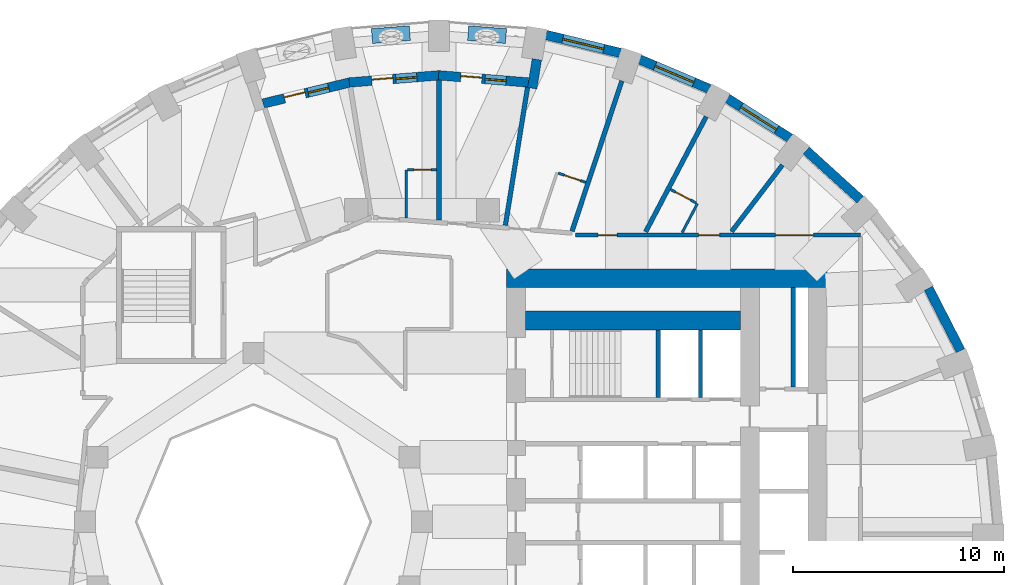
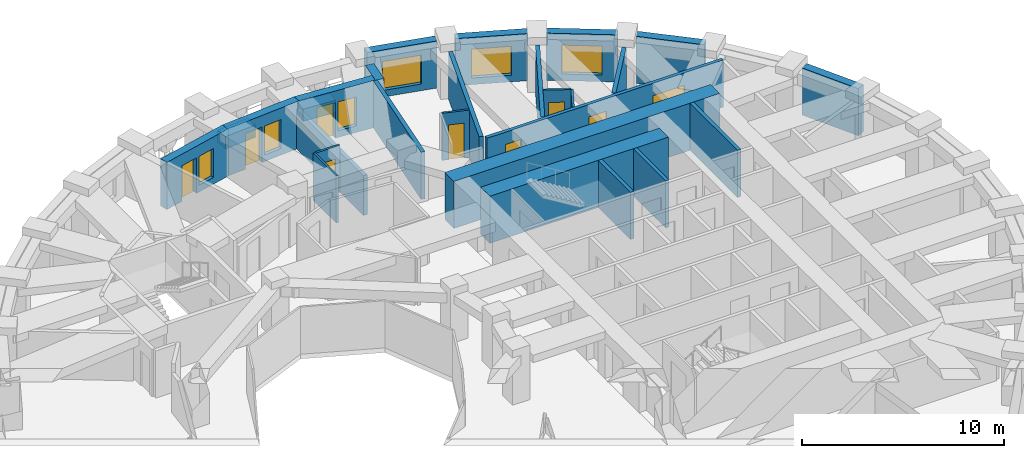
# One storey, part 8 of 12: 27 walls, 9 doors, 6 windows, 15 openings.
"""IFC4 building model written with IfcOpenShell, lengths in metres."""

from ifc_helpers import new_model, si_unit, direction, frame, frame_2d, origin, place, context, subcontext, project, spatial, rectangle, extrude, material, layer, layer_set, constituent, constituent_set, type_object, element, fill, save


model = new_model("IFC4")

# Units and contexts
model_context = context("Model", 3, precision=1e-05, world=origin(), true_north=direction((0.0, 1.0)))
body_context = subcontext(model_context, "Body", "Model", "MODEL_VIEW")
ifc_project = project(units=[si_unit("LENGTHUNIT", "METRE"), si_unit("AREAUNIT", "SQUARE_METRE"), si_unit("VOLUMEUNIT", "CUBIC_METRE"), si_unit("PLANEANGLEUNIT", "RADIAN"), si_unit("MASSUNIT", "GRAM", prefix="KILO")], contexts=[model_context])

# Site, building, storey
site_placement = place(None, origin())
site = spatial("IfcSite", under=ifc_project, at=site_placement, CompositionType="ELEMENT")
building_placement = place(site_placement, origin())
building = spatial("IfcBuilding", under=site, at=building_placement, Name="Taillehof Tower", CompositionType="ELEMENT")
storey_placement = place(building_placement, frame((0.0, 0.0, 131.800048828125)))
storey = spatial("IfcBuildingStorey", under=building, at=storey_placement, Name="L37", CompositionType="ELEMENT", Elevation=131.800048828125)

# Walls
ifc_material_1 = material(Name="Brick masonry", Category="masonry")
ifc_layer_1 = layer(ifc_material_1, 0.449951171875)
ifc_layer_set_1 = layer_set([ifc_layer_1], Name="Brick infill wall 450")
wall_type_1 = type_object("IfcWallType", Name="Brick infill wall 450", PredefinedType="SOLIDWALL", material=ifc_layer_set_1)
wall_1_placement = place(storey_placement, frame((25.545166015625, 8.1123046875, 0.0), z_axis=(0.0, 0.0, 1.0), x_axis=(-0.456828186229, 0.889554949549, 0.0)))
element("IfcWall", 1, at=wall_1_placement, inside=storey, type_object=wall_type_1, Name="Brick wall L37 bay 3", PredefinedType="SOLIDWALL", context=body_context, shape_type="SweptSolid", body=[
    extrude(rectangle(XDim=3.332763671875, YDim=0.449951171875, at=frame_2d((1.66650390625, 0.0))), origin(), (0.0, 0.0, 1.0), 2.849853515625),
])
wall_2_placement = place(storey_placement, frame((20.783935546875, 15.281005859375, 0.0), z_axis=(0.0, 0.0, 1.0), x_axis=(-0.74032902847, 0.672244694739, 0.0)))
element("IfcWall", 2, at=wall_2_placement, inside=storey, type_object=wall_type_1, Name="Brick wall L37 bay 5", PredefinedType="SOLIDWALL", context=body_context, shape_type="SweptSolid", body=[
    extrude(rectangle(XDim=3.4638671875, YDim=0.449951171875, at=frame_2d((1.73193359375, 0.0))), origin(), (0.0, 0.0, 1.0), 2.849853515625),
])

# Wall, opening, window
wall_3_placement = place(storey_placement, frame((17.456298828125, 18.19189453125, 0.0), z_axis=(0.0, 0.0, 1.0), x_axis=(-0.843880549131, 0.536531097699, 0.0)))
wall_3 = element("IfcWall", 3, at=wall_3_placement, inside=storey, type_object=wall_type_1, Name="Brick wall L37 bay 6", PredefinedType="SOLIDWALL", context=body_context, shape_type="SweptSolid", body=[
    extrude(rectangle(XDim=3.532470703125, YDim=0.449951171875, at=frame_2d((1.76611328125, 0.0))), origin(), (0.0, 0.0, 1.0), 2.849853515625),
])
opening_1_placement = place(wall_3_placement, frame((0.76611328125, 0.0, 0.39990234375)))
opening_1 = element("IfcOpeningElement", 4, at=opening_1_placement, cuts=wall_3, Name="Opening W2", PredefinedType="OPENING", context=body_context, shape_type="SweptSolid", body=[
    extrude(rectangle(XDim=2.0, YDim=1.75, at=frame_2d((1.0, 0.875))), frame((0.0, 0.23486328125, 0.0), z_axis=(0.0, -1.0, 0.0), x_axis=(1.0, 0.0, 0.0)), (0.0, 0.0, 1.0), 0.469970703125),
])
ifc_material_2 = material(Name="Aluminium window frame with clear double glazing", Category="aluminium")
window_type_1 = type_object("IfcWindowType", Name="Deep-set window 2000x1750", PartitioningType="SINGLE_PANEL", PredefinedType="WINDOW", material=ifc_material_2)
window_1_placement = place(opening_1_placement, origin())
window_1 = element("IfcWindow", 5, at=window_1_placement, inside=storey, type_object=window_type_1, Name="W2", OverallHeight=1.75, OverallWidth=2.0, PartitioningType="SINGLE_PANEL", PredefinedType="WINDOW", context=body_context, shape_type="SweptSolid", body=[
    extrude(rectangle(XDim=2.0, YDim=1.75, at=frame_2d((1.0, 0.875))), frame((0.0, 0.034912109375, 0.0), z_axis=(0.0, -1.0, 0.0), x_axis=(1.0, 0.0, 0.0)), (0.0, 0.0, 1.0), 0.06005859375),
])
fill(opening_1, window_1)

wall_4_placement = place(storey_placement, frame((13.625244140625, 20.533447265625, 0.0), z_axis=(0.0, 0.0, 1.0), x_axis=(-0.920869643542, 0.389870619055, 0.0)))
wall_4 = element("IfcWall", 6, at=wall_4_placement, inside=storey, type_object=wall_type_1, Name="Brick wall L37 bay 7", PredefinedType="SOLIDWALL", context=body_context, shape_type="SweptSolid", body=[
    extrude(rectangle(XDim=3.59130859375, YDim=0.449951171875, at=frame_2d((1.795654296875, 0.0))), origin(), (0.0, 0.0, 1.0), 2.849853515625),
])
opening_2_placement = place(wall_4_placement, frame((0.795654296875, 0.0, 0.39990234375)))
opening_2 = element("IfcOpeningElement", 7, at=opening_2_placement, cuts=wall_4, Name="Opening W2", PredefinedType="OPENING", context=body_context, shape_type="SweptSolid", body=[
    extrude(rectangle(XDim=2.0, YDim=1.75, at=frame_2d((1.0, 0.875))), frame((0.0, 0.23486328125, 0.0), z_axis=(0.0, -1.0, 0.0), x_axis=(1.0, 0.0, 0.0)), (0.0, 0.0, 1.0), 0.469970703125),
])
window_2_placement = place(opening_2_placement, origin())
window_2 = element("IfcWindow", 8, at=window_2_placement, inside=storey, type_object=window_type_1, Name="W2", OverallHeight=1.75, OverallWidth=2.0, PartitioningType="SINGLE_PANEL", PredefinedType="WINDOW", context=body_context, shape_type="SweptSolid", body=[
    extrude(rectangle(XDim=2.0, YDim=1.75, at=frame_2d((1.0, 0.875))), frame((0.0, 0.034912109375, 0.0), z_axis=(0.0, -1.0, 0.0), x_axis=(1.0, 0.0, 0.0)), (0.0, 0.0, 1.0), 0.06005859375),
])
fill(opening_2, window_2)

wall_5_placement = place(storey_placement, frame((9.406494140625, 22.2353515625, 0.0), z_axis=(0.0, 0.0, 1.0), x_axis=(-0.971667603162, 0.236351579148, 0.0)))
wall_5 = element("IfcWall", 9, at=wall_5_placement, inside=storey, type_object=wall_type_1, Name="Brick wall L37 bay 8", PredefinedType="SOLIDWALL", context=body_context, shape_type="SweptSolid", body=[
    extrude(rectangle(XDim=3.635009765625, YDim=0.449951171875, at=frame_2d((1.8173828125, 0.0))), origin(), (0.0, 0.0, 1.0), 2.849853515625),
])
opening_3_placement = place(wall_5_placement, frame((0.8173828125, 0.0, 0.39990234375)))
opening_3 = element("IfcOpeningElement", 10, at=opening_3_placement, cuts=wall_5, Name="Opening W2", PredefinedType="OPENING", context=body_context, shape_type="SweptSolid", body=[
    extrude(rectangle(XDim=2.0, YDim=1.75, at=frame_2d((1.0, 0.875))), frame((0.0, 0.23486328125, 0.0), z_axis=(0.0, -1.0, 0.0), x_axis=(1.0, 0.0, 0.0)), (0.0, 0.0, 1.0), 0.469970703125),
])
window_3_placement = place(opening_3_placement, origin())
window_3 = element("IfcWindow", 11, at=window_3_placement, inside=storey, type_object=window_type_1, Name="W2", OverallHeight=1.75, OverallWidth=2.0, PartitioningType="SINGLE_PANEL", PredefinedType="WINDOW", context=body_context, shape_type="SweptSolid", body=[
    extrude(rectangle(XDim=2.0, YDim=1.75, at=frame_2d((1.0, 0.875))), frame((0.0, 0.034912109375, 0.0), z_axis=(0.0, -1.0, 0.0), x_axis=(1.0, 0.0, 0.0)), (0.0, 0.0, 1.0), 0.06005859375),
])
fill(opening_3, window_3)

# Wall
wall_6_placement = place(storey_placement, frame((5.44140625, 21.932373046875, 0.0), z_axis=(0.0, 0.0, 1.0), x_axis=(-0.158586380547, -0.987345106792, 0.0)))
element("IfcWall", 12, at=wall_6_placement, inside=storey, type_object=wall_type_1, Name="Brick reveal L37 pocket 2", PredefinedType="SOLIDWALL", context=body_context, shape_type="SweptSolid", body=[
    extrude(rectangle(XDim=1.39013671875, YDim=0.449951171875, at=frame_2d((0.695068359375, 0.0))), origin(), (0.0, 0.0, 1.0), 2.849853515625),
])

# Wall, openings, door, window
wall_7_placement = place(storey_placement, frame((5.03759765625, 20.836669921875, 0.0), z_axis=(0.0, 0.0, 1.0), x_axis=(-0.996839780714, 0.079438350855, 0.0)))
wall_7 = element("IfcWall", 13, at=wall_7_placement, inside=storey, type_object=wall_type_1, Name="Brick wall L37 pocket bay 9", PredefinedType="SOLIDWALL", context=body_context, shape_type="SweptSolid", body=[
    extrude(rectangle(XDim=4.268798828125, YDim=0.449951171875, at=frame_2d((2.13427734375, 0.0))), origin(), (0.0, 0.0, 1.0), 2.849853515625),
])
opening_4_placement = place(wall_7_placement, frame((1.0595703125, 0.0, 0.39990234375)))
opening_4 = element("IfcOpeningElement", 14, at=opening_4_placement, cuts=wall_7, Name="Opening W5", PredefinedType="OPENING", context=body_context, shape_type="SweptSolid", body=[
    extrude(rectangle(XDim=1.0, YDim=1.75, at=frame_2d((0.5, 0.875))), frame((0.0, 0.23486328125, 0.0), z_axis=(0.0, -1.0, 0.0), x_axis=(1.0, 0.0, 0.0)), (0.0, 0.0, 1.0), 0.469970703125),
])
opening_5_placement = place(wall_7_placement, frame((2.20947265625, 0.0, 0.0)))
opening_5 = element("IfcOpeningElement", 15, at=opening_5_placement, cuts=wall_7, Name="Opening D3791", PredefinedType="OPENING", context=body_context, shape_type="SweptSolid", body=[
    extrude(rectangle(XDim=1.0, YDim=2.14990234375, at=frame_2d((0.5, 1.074951171875))), frame((0.0, 0.23486328125, 0.0), z_axis=(0.0, -1.0, 0.0), x_axis=(1.0, 0.0, 0.0)), (0.0, 0.0, 1.0), 0.469970703125),
])
ifc_material_3 = material(Name="Aluminium door frame with clear double glazing", Category="aluminium")
door_type_1 = type_object("IfcDoorType", Name="Balcony door 1000x2150", OperationType="SINGLE_SWING_RIGHT", PredefinedType="DOOR", material=ifc_material_3)
door_1_placement = place(opening_5_placement, frame((1.0, 0.0, 0.0), z_axis=(0.0, 0.0, 1.0), x_axis=(-1.0, 0.0, 0.0)))
door_1 = element("IfcDoor", 16, at=door_1_placement, inside=storey, type_object=door_type_1, Name="Balcony door L37 bay 9", OperationType="SINGLE_SWING_RIGHT", OverallHeight=2.14990234375, OverallWidth=1.0, PredefinedType="DOOR", context=body_context, shape_type="SweptSolid", body=[
    extrude(rectangle(XDim=1.0, YDim=2.14990234375, at=frame_2d((0.5, 1.074951171875))), frame((0.0, 0.0751953125, 0.0), z_axis=(0.0, -1.0, 0.0), x_axis=(1.0, 0.0, 0.0)), (0.0, 0.0, 1.0), 0.050048828125),
])
fill(opening_5, door_1)
ifc_material_4 = material(Name="Aluminium window frame with clear double glazing", Category="aluminium")
window_type_2 = type_object("IfcWindowType", Name="Fixed window 1000x1750", PartitioningType="SINGLE_PANEL", PredefinedType="WINDOW", material=ifc_material_4)
window_4_placement = place(opening_4_placement, origin())
window_4 = element("IfcWindow", 17, at=window_4_placement, inside=storey, type_object=window_type_2, Name="W5", OverallHeight=1.75, OverallWidth=1.0, PartitioningType="SINGLE_PANEL", PredefinedType="WINDOW", context=body_context, shape_type="SweptSolid", body=[
    extrude(rectangle(XDim=1.0, YDim=1.75, at=frame_2d((0.5, 0.875))), frame((0.0, 0.034912109375, 0.0), z_axis=(0.0, -1.0, 0.0), x_axis=(1.0, 0.0, 0.0)), (0.0, 0.0, 1.0), 0.06005859375),
])
fill(opening_4, window_4)

wall_8_placement = place(storey_placement, frame((0.81787109375, 21.17578125, 0.0), z_axis=(0.0, 0.0, 1.0), x_axis=(-0.996843824935, -0.079387585235, 0.0)))
wall_8 = element("IfcWall", 18, at=wall_8_placement, inside=storey, type_object=wall_type_1, Name="Brick wall L37 pocket bay 10", PredefinedType="SOLIDWALL", context=body_context, shape_type="SweptSolid", body=[
    extrude(rectangle(XDim=4.286865234375, YDim=0.449951171875, at=frame_2d((2.1435546875, 0.0))), origin(), (0.0, 0.0, 1.0), 2.849853515625),
])
opening_6_placement = place(wall_8_placement, frame((1.068359375, 0.0, 0.39990234375)))
opening_6 = element("IfcOpeningElement", 19, at=opening_6_placement, cuts=wall_8, Name="Opening W5", PredefinedType="OPENING", context=body_context, shape_type="SweptSolid", body=[
    extrude(rectangle(XDim=1.0, YDim=1.75, at=frame_2d((0.5, 0.875))), frame((0.0, 0.23486328125, 0.0), z_axis=(0.0, -1.0, 0.0), x_axis=(1.0, 0.0, 0.0)), (0.0, 0.0, 1.0), 0.469970703125),
])
opening_7_placement = place(wall_8_placement, frame((2.218505859375, 0.0, 0.0)))
opening_7 = element("IfcOpeningElement", 20, at=opening_7_placement, cuts=wall_8, Name="Opening D3792", PredefinedType="OPENING", context=body_context, shape_type="SweptSolid", body=[
    extrude(rectangle(XDim=1.0, YDim=2.14990234375, at=frame_2d((0.5, 1.074951171875))), frame((0.0, 0.23486328125, 0.0), z_axis=(0.0, -1.0, 0.0), x_axis=(1.0, 0.0, 0.0)), (0.0, 0.0, 1.0), 0.469970703125),
])
door_2_placement = place(opening_7_placement, frame((1.0, 0.0, 0.0), z_axis=(0.0, 0.0, 1.0), x_axis=(-1.0, 0.0, 0.0)))
door_2 = element("IfcDoor", 21, at=door_2_placement, inside=storey, type_object=door_type_1, Name="Balcony door L37 bay 10", OperationType="SINGLE_SWING_LEFT", OverallHeight=2.14990234375, OverallWidth=1.0, PredefinedType="DOOR", context=body_context, shape_type="SweptSolid", body=[
    extrude(rectangle(XDim=1.0, YDim=2.14990234375, at=frame_2d((0.5, 1.074951171875))), frame((0.0, 0.0751953125, 0.0), z_axis=(0.0, -1.0, 0.0), x_axis=(1.0, 0.0, 0.0)), (0.0, 0.0, 1.0), 0.050048828125),
])
fill(opening_7, door_2)
window_5_placement = place(opening_6_placement, origin())
window_5 = element("IfcWindow", 22, at=window_5_placement, inside=storey, type_object=window_type_2, Name="W5", OverallHeight=1.75, OverallWidth=1.0, PartitioningType="SINGLE_PANEL", PredefinedType="WINDOW", context=body_context, shape_type="SweptSolid", body=[
    extrude(rectangle(XDim=1.0, YDim=1.75, at=frame_2d((0.5, 0.875))), frame((0.0, 0.034912109375, 0.0), z_axis=(0.0, -1.0, 0.0), x_axis=(1.0, 0.0, 0.0)), (0.0, 0.0, 1.0), 0.06005859375),
])
fill(opening_6, window_5)

wall_9_placement = place(storey_placement, frame((-3.419921875, 20.841064453125, 0.0), z_axis=(0.0, 0.0, 1.0), x_axis=(-0.971511611373, -0.23699195971, 0.0)))
wall_9 = element("IfcWall", 23, at=wall_9_placement, inside=storey, type_object=wall_type_1, Name="Brick wall L37 pocket bay 11", PredefinedType="SOLIDWALL", context=body_context, shape_type="SweptSolid", body=[
    extrude(rectangle(XDim=4.2412109375, YDim=0.449951171875, at=frame_2d((2.12060546875, 0.0))), origin(), (0.0, 0.0, 1.0), 2.849853515625),
])
opening_8_placement = place(wall_9_placement, frame((1.04541015625, 0.0, 0.39990234375)))
opening_8 = element("IfcOpeningElement", 24, at=opening_8_placement, cuts=wall_9, Name="Opening W5", PredefinedType="OPENING", context=body_context, shape_type="SweptSolid", body=[
    extrude(rectangle(XDim=1.0, YDim=1.75, at=frame_2d((0.5, 0.875))), frame((0.0, 0.23486328125, 0.0), z_axis=(0.0, -1.0, 0.0), x_axis=(1.0, 0.0, 0.0)), (0.0, 0.0, 1.0), 0.469970703125),
])
opening_9_placement = place(wall_9_placement, frame((2.195556640625, 0.0, 0.0)))
opening_9 = element("IfcOpeningElement", 25, at=opening_9_placement, cuts=wall_9, Name="Opening D3793", PredefinedType="OPENING", context=body_context, shape_type="SweptSolid", body=[
    extrude(rectangle(XDim=1.0, YDim=2.14990234375, at=frame_2d((0.5, 1.074951171875))), frame((0.0, 0.23486328125, 0.0), z_axis=(0.0, -1.0, 0.0), x_axis=(1.0, 0.0, 0.0)), (0.0, 0.0, 1.0), 0.469970703125),
])
door_3_placement = place(opening_9_placement, frame((1.0, 0.0, 0.0), z_axis=(0.0, 0.0, 1.0), x_axis=(-1.0, 0.0, 0.0)))
door_3 = element("IfcDoor", 26, at=door_3_placement, inside=storey, type_object=door_type_1, Name="Balcony door L37 bay 11", OperationType="SINGLE_SWING_LEFT", OverallHeight=2.14990234375, OverallWidth=1.0, PredefinedType="DOOR", context=body_context, shape_type="SweptSolid", body=[
    extrude(rectangle(XDim=1.0, YDim=2.14990234375, at=frame_2d((0.5, 1.074951171875))), frame((0.0, 0.0751953125, 0.0), z_axis=(0.0, -1.0, 0.0), x_axis=(1.0, 0.0, 0.0)), (0.0, 0.0, 1.0), 0.050048828125),
])
fill(opening_9, door_3)
window_6_placement = place(opening_8_placement, origin())
window_6 = element("IfcWindow", 27, at=window_6_placement, inside=storey, type_object=window_type_2, Name="W5", OverallHeight=1.75, OverallWidth=1.0, PartitioningType="SINGLE_PANEL", PredefinedType="WINDOW", context=body_context, shape_type="SweptSolid", body=[
    extrude(rectangle(XDim=1.0, YDim=1.75, at=frame_2d((0.5, 0.875))), frame((0.0, 0.034912109375, 0.0), z_axis=(0.0, -1.0, 0.0), x_axis=(1.0, 0.0, 0.0)), (0.0, 0.0, 1.0), 0.06005859375),
])
fill(opening_8, window_6)

# Wall
ifc_material_5 = material(Name="Calcium silicate masonry", Category="masonry")
ifc_layer_2 = layer(ifc_material_5, 0.199951171875)
ifc_layer_set_2 = layer_set([ifc_layer_2], Name="Compartment wall calcium silicate 200")
wall_type_2 = type_object("IfcWallType", Name="Compartment wall calcium silicate 200", PredefinedType="PARTITIONING", material=ifc_layer_set_2)
wall_10_placement = place(storey_placement, frame((17.60009765625, 6.39990234375, 0.0), z_axis=(0.0, 0.0, 1.0), x_axis=(0.0, 1.0, 0.0)))
element("IfcWall", 28, at=wall_10_placement, inside=storey, type_object=wall_type_2, Name="Compartment wall FW", PredefinedType="PARTITIONING", context=body_context, shape_type="SweptSolid", body=[
    extrude(rectangle(XDim=4.7001953125, YDim=0.199951171875, at=frame_2d((2.35009765625, 0.0))), origin(), (0.0, 0.0, 1.0), 2.849853515625),
])

# Wall, openings, doors
ifc_material_6 = material(Name="Gypsum board on steel studs, two layers each side", Category="steel")
ifc_layer_3 = layer(ifc_material_6, 0.199951171875)
ifc_layer_set_3 = layer_set([ifc_layer_3], Name="Compartment wall corridor 200")
wall_type_3 = type_object("IfcWallType", Name="Compartment wall corridor 200", PredefinedType="PARTITIONING", material=ifc_layer_set_3)
wall_11_placement = place(storey_placement, frame((7.276123046875, 13.60009765625, 0.0), z_axis=(0.0, 0.0, 1.0), x_axis=(1.0, 0.0, 0.0)))
wall_11 = element("IfcWall", 29, at=wall_11_placement, inside=storey, type_object=wall_type_3, Name="Compartment wall", PredefinedType="PARTITIONING", context=body_context, shape_type="SweptSolid", body=[
    extrude(rectangle(XDim=13.52392578125, YDim=0.199951171875, at=frame_2d((6.761962890625, 0.0))), origin(), (0.0, 0.0, 1.0), 2.849853515625),
])
opening_10_placement = place(wall_11_placement, frame((5.839111328125, 0.0, 0.0)))
opening_10 = element("IfcOpeningElement", 30, at=opening_10_placement, cuts=wall_11, Name="Opening D3740", PredefinedType="OPENING", context=body_context, shape_type="SweptSolid", body=[
    extrude(rectangle(XDim=1.0, YDim=2.10009765625, at=frame_2d((0.5, 1.050048828125))), frame((0.0, 0.10986328125, 0.0), z_axis=(0.0, -1.0, 0.0), x_axis=(1.0, 0.0, 0.0)), (0.0, 0.0, 1.0), 0.219970703125),
])
opening_11_placement = place(wall_11_placement, frame((1.072509765625, 0.0, 0.0)))
opening_11 = element("IfcOpeningElement", 31, at=opening_11_placement, cuts=wall_11, Name="Opening D3742", PredefinedType="OPENING", context=body_context, shape_type="SweptSolid", body=[
    extrude(rectangle(XDim=0.89990234375, YDim=2.10009765625, at=frame_2d((0.449951171875, 1.050048828125))), frame((0.0, 0.10986328125, 0.0), z_axis=(0.0, -1.0, 0.0), x_axis=(1.0, 0.0, 0.0)), (0.0, 0.0, 1.0), 0.219970703125),
])
opening_12_placement = place(wall_11_placement, frame((9.49365234375, 0.0, 0.0)))
opening_12 = element("IfcOpeningElement", 32, at=opening_12_placement, cuts=wall_11, Name="Opening D3767", PredefinedType="OPENING", context=body_context, shape_type="SweptSolid", body=[
    extrude(rectangle(XDim=1.800048828125, YDim=2.10009765625, at=frame_2d((0.89990234375, 1.050048828125))), frame((0.0, 0.10986328125, 0.0), z_axis=(0.0, -1.0, 0.0), x_axis=(1.0, 0.0, 0.0)), (0.0, 0.0, 1.0), 0.219970703125),
])
ifc_material_7 = material(Name="Timber door leaf in steel frame", Category="steel")
door_type_2 = type_object("IfcDoorType", Name="Guest room door EI 30 1000 x 2100", OperationType="SINGLE_SWING_LEFT", PredefinedType="DOOR", material=ifc_material_7)
door_4_placement = place(opening_10_placement, origin())
door_4 = element("IfcDoor", 33, at=door_4_placement, inside=storey, type_object=door_type_2, Name="D3740", OperationType="SINGLE_SWING_RIGHT", OverallHeight=2.10009765625, OverallWidth=1.0, PredefinedType="DOOR", context=body_context, shape_type="SweptSolid", body=[
    extrude(rectangle(XDim=1.0, YDim=2.10009765625, at=frame_2d((0.5, 1.050048828125))), frame((0.0, 0.02490234375, 0.0), z_axis=(0.0, -1.0, 0.0), x_axis=(1.0, 0.0, 0.0)), (0.0, 0.0, 1.0), 0.050048828125),
])
fill(opening_10, door_4)
ifc_material_8 = material(Name="Timber door leaf in steel frame", Category="steel")
door_type_3 = type_object("IfcDoorType", Name="Lounge and meeting room double door EI 30 1800 x 2100", OperationType="SINGLE_SWING_LEFT", PredefinedType="DOOR", material=ifc_material_8)
door_5_placement = place(opening_12_placement, origin())
door_5 = element("IfcDoor", 34, at=door_5_placement, inside=storey, type_object=door_type_3, Name="D3767", OperationType="DOUBLE_DOOR_SINGLE_SWING", OverallHeight=2.10009765625, OverallWidth=1.800048828125, PredefinedType="DOOR", context=body_context, shape_type="SweptSolid", body=[
    extrude(rectangle(XDim=1.800048828125, YDim=2.10009765625, at=frame_2d((0.89990234375, 1.050048828125))), frame((0.0, 0.02490234375, 0.0), z_axis=(0.0, -1.0, 0.0), x_axis=(1.0, 0.0, 0.0)), (0.0, 0.0, 1.0), 0.050048828125),
])
fill(opening_12, door_5)
ifc_material_9 = material(Name="Timber door leaf in steel frame", Category="steel")
door_type_4 = type_object("IfcDoorType", Name="Service room door EI 30 900 x 2100", OperationType="SINGLE_SWING_LEFT", PredefinedType="DOOR", material=ifc_material_9)
door_6_placement = place(opening_11_placement, origin())
door_6 = element("IfcDoor", 35, at=door_6_placement, inside=storey, type_object=door_type_4, Name="D3742", OperationType="SINGLE_SWING_LEFT", OverallHeight=2.10009765625, OverallWidth=0.89990234375, PredefinedType="DOOR", context=body_context, shape_type="SweptSolid", body=[
    extrude(rectangle(XDim=0.89990234375, YDim=2.10009765625, at=frame_2d((0.449951171875, 1.050048828125))), frame((0.0, 0.02490234375, 0.0), z_axis=(0.0, -1.0, 0.0), x_axis=(1.0, 0.0, 0.0)), (0.0, 0.0, 1.0), 0.050048828125),
])
fill(opening_11, door_6)

# Walls
ifc_material_10 = material(Name="Gypsum board on double steel studs with mineral wool", Category="steel")
ifc_layer_4 = layer(ifc_material_10, 0.219970703125)
ifc_layer_set_4 = layer_set([ifc_layer_4], Name="Compartment wall guest room 220")
wall_type_4 = type_object("IfcWallType", Name="Compartment wall guest room 220", PredefinedType="PARTITIONING", material=ifc_layer_set_4)
wall_12_placement = place(storey_placement, frame((17.08935546875, 16.9208984375, 0.0), z_axis=(0.0, 0.0, 1.0), x_axis=(-0.607055443677, -0.794659479464, 0.0)))
element("IfcWall", 36, at=wall_12_placement, inside=storey, type_object=wall_type_4, Name="Compartment wall", PredefinedType="PARTITIONING", context=body_context, shape_type="SweptSolid", body=[
    extrude(rectangle(XDim=3.97314453125, YDim=0.219970703125, at=frame_2d((1.986572265625, 0.0))), origin(), (0.0, 0.0, 1.0), 2.849853515625),
])
wall_13_placement = place(storey_placement, frame((13.47607421875, 19.217529296875, 0.0), z_axis=(0.0, 0.0, 1.0), x_axis=(-0.465345394262, -0.885129179295, 0.0)))
element("IfcWall", 37, at=wall_13_placement, inside=storey, type_object=wall_type_4, Name="Compartment wall", PredefinedType="PARTITIONING", context=body_context, shape_type="SweptSolid", body=[
    extrude(rectangle(XDim=6.1728515625, YDim=0.219970703125, at=frame_2d((3.08642578125, 0.0))), origin(), (0.0, 0.0, 1.0), 2.849853515625),
])
wall_14_placement = place(storey_placement, frame((9.4736328125, 20.911865234375, 0.0), z_axis=(0.0, 0.0, 1.0), x_axis=(-0.314530608669, -0.949247331421, 0.0)))
element("IfcWall", 38, at=wall_14_placement, inside=storey, type_object=wall_type_4, Name="Compartment wall", PredefinedType="PARTITIONING", context=body_context, shape_type="SweptSolid", body=[
    extrude(rectangle(XDim=7.51123046875, YDim=0.219970703125, at=frame_2d((3.755615234375, 0.0))), origin(), (0.0, 0.0, 1.0), 2.849853515625),
])
wall_15_placement = place(storey_placement, frame((5.001708984375, 20.614013671875, 0.0), z_axis=(0.0, 0.0, 1.0), x_axis=(-0.158502645231, -0.987358552632, 0.0)))
element("IfcWall", 39, at=wall_15_placement, inside=storey, type_object=wall_type_4, Name="Compartment wall", PredefinedType="PARTITIONING", context=body_context, shape_type="SweptSolid", body=[
    extrude(rectangle(XDim=6.63720703125, YDim=0.219970703125, at=frame_2d((3.318603515625, 0.0))), origin(), (0.0, 0.0, 1.0), 2.849853515625),
])
wall_16_placement = place(storey_placement, frame((0.800048828125, 20.948486328125, 0.0), z_axis=(0.0, 0.0, 1.0), x_axis=(0.0, -1.0, 0.0)))
element("IfcWall", 40, at=wall_16_placement, inside=storey, type_object=wall_type_4, Name="Compartment wall", PredefinedType="PARTITIONING", context=body_context, shape_type="SweptSolid", body=[
    extrude(rectangle(XDim=6.63818359375, YDim=0.219970703125, at=frame_2d((3.319091796875, 0.0))), origin(), (0.0, 0.0, 1.0), 2.39990234375),
])
ifc_material_11 = material(Name="Concrete C80/95", Category="concrete")
ifc_layer_5 = layer(ifc_material_11, 0.89990234375)
ifc_layer_set_5 = layer_set([ifc_layer_5], Name="Core wall C80/95 900")
wall_type_5 = type_object("IfcWallType", Name="Core wall C80/95 900", PredefinedType="SHEAR", material=ifc_layer_set_5)
wall_17_placement = place(storey_placement, frame((4.0, 11.550048828125, 0.0), z_axis=(0.0, 0.0, 1.0), x_axis=(1.0, 0.0, 0.0)))
element("IfcWall", 41, at=wall_17_placement, inside=storey, type_object=wall_type_5, Name="Core wall CW03", PredefinedType="SHEAR", context=body_context, shape_type="SweptSolid", body=[
    extrude(rectangle(XDim=15.199951171875, YDim=0.89990234375, at=frame_2d((7.60009765625, 0.0))), origin(), (0.0, 0.0, 1.0), 2.849853515625),
])
wall_18_placement = place(storey_placement, frame((4.89990234375, 9.550048828125, 0.0), z_axis=(0.0, 0.0, 1.0), x_axis=(1.0, 0.0, 0.0)))
element("IfcWall", 42, at=wall_18_placement, inside=storey, type_object=wall_type_5, Name="Core wall CW06", PredefinedType="SHEAR", context=body_context, shape_type="SweptSolid", body=[
    extrude(rectangle(XDim=10.2001953125, YDim=0.89990234375, at=frame_2d((5.10009765625, 0.0))), origin(), (0.0, 0.0, 1.0), 2.849853515625),
])
ifc_material_12 = material(Name="Gypsum board on steel studs, moisture resistant", Category="steel")
ifc_layer_6 = layer(ifc_material_12, 0.1201171875)
ifc_layer_set_6 = layer_set([ifc_layer_6], Name="En-suite wall 120")
wall_type_6 = type_object("IfcWallType", Name="En-suite wall 120", PredefinedType="PARTITIONING", material=ifc_layer_set_6)
wall_19_placement = place(storey_placement, frame((12.3359375, 13.718017578125, 0.0), z_axis=(0.0, 0.0, 1.0), x_axis=(0.465428746876, 0.88508535271, 0.0)))
element("IfcWall", 43, at=wall_19_placement, inside=storey, type_object=wall_type_6, Name="En-suite wall", PredefinedType="PARTITIONING", context=body_context, shape_type="SweptSolid", body=[
    extrude(rectangle(XDim=1.55224609375, YDim=0.1201171875, at=frame_2d((0.776123046875, 0.0))), origin(), (0.0, 0.0, 1.0), 2.849853515625),
])
wall_20_placement = place(storey_placement, frame((-0.75, 14.4130859375, 0.0), z_axis=(0.0, 0.0, 1.0), x_axis=(0.0, 1.0, 0.0)))
element("IfcWall", 44, at=wall_20_placement, inside=storey, type_object=wall_type_6, Name="En-suite wall", PredefinedType="PARTITIONING", context=body_context, shape_type="SweptSolid", body=[
    extrude(rectangle(XDim=2.27685546875, YDim=0.1201171875, at=frame_2d((1.138427734375, 0.0))), origin(), (0.0, 0.0, 1.0), 2.849853515625),
])

# Wall, opening, door
wall_21_placement = place(storey_placement, frame((13.005126953125, 15.11962890625, 0.0), z_axis=(0.0, 0.0, 1.0), x_axis=(-0.885148383454, 0.465308864378, 0.0)))
wall_21 = element("IfcWall", 45, at=wall_21_placement, inside=storey, type_object=wall_type_6, Name="En-suite wall", PredefinedType="PARTITIONING", context=body_context, shape_type="SweptSolid", body=[
    extrude(rectangle(XDim=1.3798828125, YDim=0.1201171875, at=frame_2d((0.68994140625, 0.0))), origin(), (0.0, 0.0, 1.0), 2.849853515625),
])
opening_13_placement = place(wall_21_placement, frame((0.31494140625, 0.0, 0.0)))
opening_13 = element("IfcOpeningElement", 46, at=opening_13_placement, cuts=wall_21, Name="Opening D3741", PredefinedType="OPENING", context=body_context, shape_type="SweptSolid", body=[
    extrude(rectangle(XDim=0.800048828125, YDim=2.10009765625, at=frame_2d((0.39990234375, 1.050048828125))), frame((0.0, 0.070068359375, 0.0), z_axis=(0.0, -1.0, 0.0), x_axis=(1.0, 0.0, 0.0)), (0.0, 0.0, 1.0), 0.14013671875),
])
ifc_material_13 = material(Name="Timber door leaf in steel frame", Category="steel")
door_type_5 = type_object("IfcDoorType", Name="En-suite door 800 x 2100", OperationType="SINGLE_SWING_LEFT", PredefinedType="DOOR", material=ifc_material_13)
door_7_placement = place(opening_13_placement, origin())
door_7 = element("IfcDoor", 47, at=door_7_placement, inside=storey, type_object=door_type_5, Name="D3741", OperationType="SINGLE_SWING_LEFT", OverallHeight=2.10009765625, OverallWidth=0.800048828125, PredefinedType="DOOR", context=body_context, shape_type="SweptSolid", body=[
    extrude(rectangle(XDim=0.800048828125, YDim=2.10009765625, at=frame_2d((0.39990234375, 1.050048828125))), frame((0.0, 0.02490234375, 0.0), z_axis=(0.0, -1.0, 0.0), x_axis=(1.0, 0.0, 0.0)), (0.0, 0.0, 1.0), 0.050048828125),
])
fill(opening_13, door_7)

wall_22_placement = place(storey_placement, frame((6.45361328125, 16.53369140625, 0.0), z_axis=(0.0, 0.0, 1.0), x_axis=(0.949265680417, -0.314475226342, 0.0)))
wall_22 = element("IfcWall", 48, at=wall_22_placement, inside=storey, type_object=wall_type_6, Name="En-suite wall", PredefinedType="PARTITIONING", context=body_context, shape_type="SweptSolid", body=[
    extrude(rectangle(XDim=1.379638671875, YDim=0.1201171875, at=frame_2d((0.68994140625, 0.0))), origin(), (0.0, 0.0, 1.0), 2.849853515625),
])
opening_14_placement = place(wall_22_placement, frame((0.314697265625, 0.0, 0.0)))
opening_14 = element("IfcOpeningElement", 49, at=opening_14_placement, cuts=wall_22, Name="Opening D3744", PredefinedType="OPENING", context=body_context, shape_type="SweptSolid", body=[
    extrude(rectangle(XDim=0.800048828125, YDim=2.10009765625, at=frame_2d((0.39990234375, 1.050048828125))), frame((0.0, 0.070068359375, 0.0), z_axis=(0.0, -1.0, 0.0), x_axis=(1.0, 0.0, 0.0)), (0.0, 0.0, 1.0), 0.14013671875),
])
door_8_placement = place(opening_14_placement, origin())
door_8 = element("IfcDoor", 50, at=door_8_placement, inside=storey, type_object=door_type_5, Name="D3744", OperationType="SINGLE_SWING_LEFT", OverallHeight=2.10009765625, OverallWidth=0.800048828125, PredefinedType="DOOR", context=body_context, shape_type="SweptSolid", body=[
    extrude(rectangle(XDim=0.800048828125, YDim=2.10009765625, at=frame_2d((0.39990234375, 1.050048828125))), frame((0.0, 0.02490234375, 0.0), z_axis=(0.0, -1.0, 0.0), x_axis=(1.0, 0.0, 0.0)), (0.0, 0.0, 1.0), 0.050048828125),
])
fill(opening_14, door_8)

wall_23_placement = place(storey_placement, frame((-0.68994140625, 16.68994140625, 0.0), z_axis=(0.0, 0.0, 1.0), x_axis=(1.0, 0.0, 0.0)))
wall_23 = element("IfcWall", 51, at=wall_23_placement, inside=storey, type_object=wall_type_6, Name="En-suite wall", PredefinedType="PARTITIONING", context=body_context, shape_type="SweptSolid", body=[
    extrude(rectangle(XDim=1.3798828125, YDim=0.1201171875, at=frame_2d((0.68994140625, 0.0))), origin(), (0.0, 0.0, 1.0), 2.849853515625),
])
opening_15_placement = place(wall_23_placement, frame((0.31494140625, 0.0, 0.0)))
opening_15 = element("IfcOpeningElement", 52, at=opening_15_placement, cuts=wall_23, Name="Opening D3747", PredefinedType="OPENING", context=body_context, shape_type="SweptSolid", body=[
    extrude(rectangle(XDim=0.800048828125, YDim=2.10009765625, at=frame_2d((0.39990234375, 1.050048828125))), frame((0.0, 0.070068359375, 0.0), z_axis=(0.0, -1.0, 0.0), x_axis=(1.0, 0.0, 0.0)), (0.0, 0.0, 1.0), 0.14013671875),
])
door_9_placement = place(opening_15_placement, origin())
door_9 = element("IfcDoor", 53, at=door_9_placement, inside=storey, type_object=door_type_5, Name="D3747", OperationType="SINGLE_SWING_RIGHT", OverallHeight=2.10009765625, OverallWidth=0.800048828125, PredefinedType="DOOR", context=body_context, shape_type="SweptSolid", body=[
    extrude(rectangle(XDim=0.800048828125, YDim=2.10009765625, at=frame_2d((0.39990234375, 1.050048828125))), frame((0.0, 0.02490234375, 0.0), z_axis=(0.0, -1.0, 0.0), x_axis=(1.0, 0.0, 0.0)), (0.0, 0.0, 1.0), 0.050048828125),
])
fill(opening_15, door_9)

# Walls
ifc_material_14 = material(Name="Concrete C30/37 precast", Category="concrete")
ifc_constituent_1 = constituent(ifc_material_14, Name="Structure", Category="concrete")
ifc_material_15 = material(Name="Insulated lining")
ifc_constituent_2 = constituent(ifc_material_15, Name="Lining")
ifc_constituent_set = constituent_set(constituents=[ifc_constituent_1, ifc_constituent_2], Name="Planter trough 700x750")
wall_type_7 = type_object("IfcWallType", Name="Planter trough 700x750", PredefinedType="USERDEFINED", material=ifc_constituent_set)
for number, where, z_axis, x_axis, name in (
    (54, (3.97802734375, 23.035888671875, 0.0), (0.0, 0.0, 1.0), (-0.996858257414, 0.079206152698, 0.0), "Planter L37 bay 9"),
    (55, (-0.58349609375, 23.178466796875, 0.0), (0.0, 0.0, 1.0), (-0.996858257414, -0.079206152698, 0.0), "Planter L37 bay 10"),
):
    element("IfcWall", number, at=place(storey_placement, frame(where, z_axis=z_axis, x_axis=x_axis)), inside=storey, type_object=wall_type_7, Name=name, ObjectType="PLANTER", PredefinedType="USERDEFINED", context=body_context, shape_type="SweptSolid", body=[
        extrude(rectangle(XDim=1.800048828125, YDim=0.699951171875, at=frame_2d((0.89990234375, 0.0))), origin(), (0.0, 0.0, 1.0), 0.75),
    ])
ifc_material_16 = material(Name="Concrete C50/60", Category="concrete")
ifc_layer_7 = layer(ifc_material_16, 0.199951171875)
ifc_layer_set_7 = layer_set([ifc_layer_7], Name="Shaft wall C50/60 200")
wall_type_8 = type_object("IfcWallType", Name="Shaft wall C50/60 200", PredefinedType="SHEAR", material=ifc_layer_set_7)
for number, where, z_axis, x_axis, name in (
    (56, (11.199951171875, 5.89990234375, 0.0), (0.0, 0.0, 1.0), (0.0, 1.0, 0.0), "Shaft wall SW"),
    (57, (13.199951171875, 5.89990234375, 0.0), (0.0, 0.0, 1.0), (0.0, 1.0, 0.0), "Shaft wall SW"),
):
    element("IfcWall", number, at=place(storey_placement, frame(where, z_axis=z_axis, x_axis=x_axis)), inside=storey, type_object=wall_type_8, Name=name, PredefinedType="SHEAR", context=body_context, shape_type="SweptSolid", body=[
        extrude(rectangle(XDim=3.2001953125, YDim=0.199951171875, at=frame_2d((1.60009765625, 0.0))), origin(), (0.0, 0.0, 1.0), 2.849853515625),
    ])

save(model, "model.ifc")
